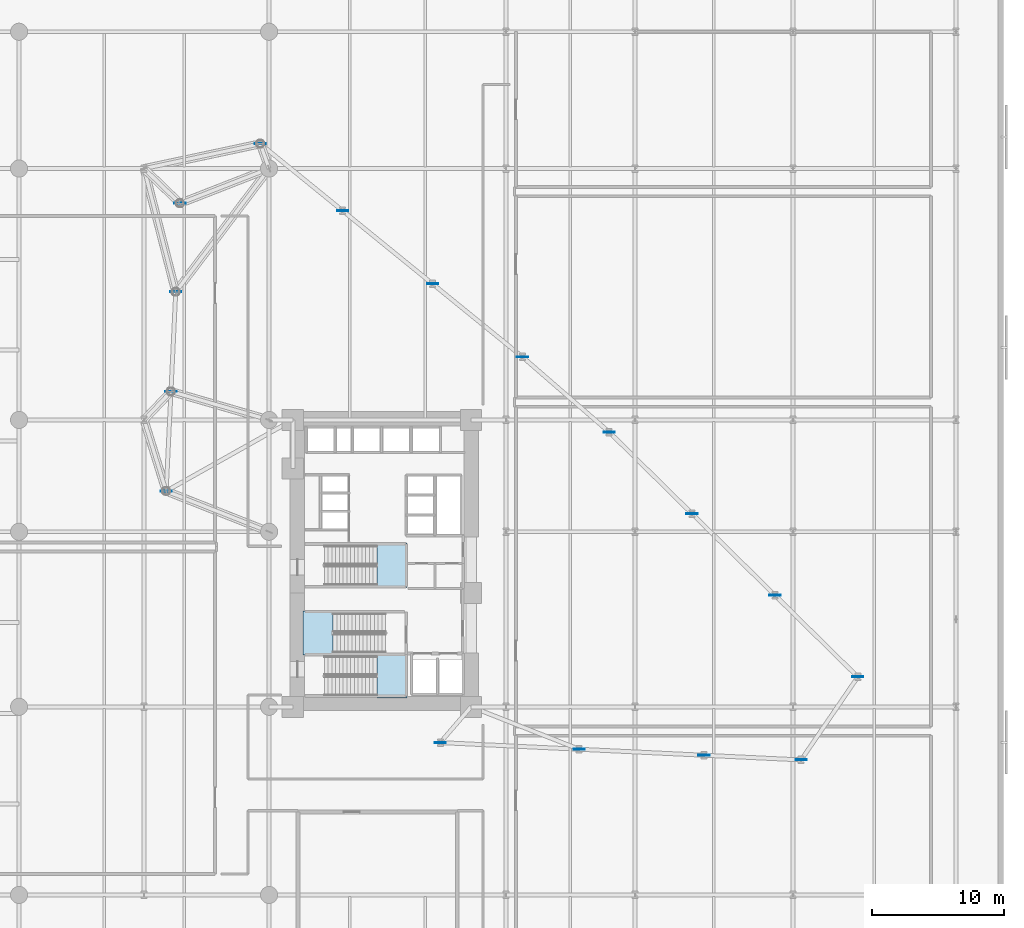
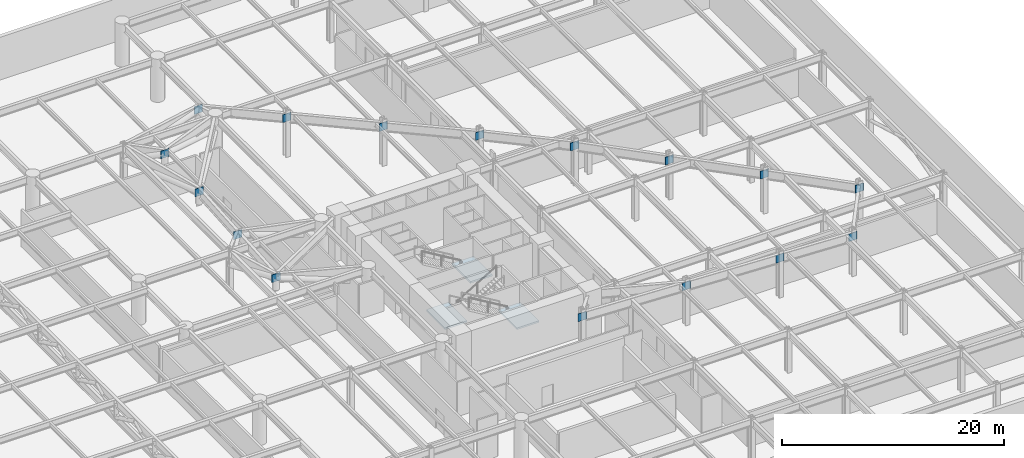
# One storey, part 23 of 40: 16 plates, 3 slabs, 3 elements without a shape of their own.
"""IFC4 building model written with IfcOpenShell, lengths in metres."""

from ifc_helpers import new_model, si_unit, direction, frame, origin, origin_2d, place, context, subcontext, project, spatial, polyline, rectangle, outline, extrude, material, layer, layer_set, type_object, element, aggregate, save


model = new_model("IFC4")

# Units and contexts
model_context = context("Model", 3, precision=1e-05, world=origin(), true_north=direction((0.0, 1.0)))
body_context = subcontext(model_context, "Body", "Model", "MODEL_VIEW")
ifc_project = project(units=[si_unit("LENGTHUNIT", "METRE"), si_unit("AREAUNIT", "SQUARE_METRE"), si_unit("VOLUMEUNIT", "CUBIC_METRE"), si_unit("PLANEANGLEUNIT", "RADIAN"), si_unit("MASSUNIT", "GRAM", prefix="KILO")], contexts=[model_context])

# Site, building, storey
site_placement = place(None, origin())
site = spatial("IfcSite", under=ifc_project, at=site_placement, CompositionType="ELEMENT")
building_placement = place(site_placement, origin())
building = spatial("IfcBuilding", under=site, at=building_placement, Name="Narakoshi Arena Tower", CompositionType="ELEMENT")
storey_placement = place(building_placement, frame((0.0, 0.0, 21.60009765625)))
storey = spatial("IfcBuildingStorey", under=building, at=storey_placement, Name="L05", CompositionType="ELEMENT", Elevation=21.60009765625)

# Plates
ifc_material_1 = material(Name="Anodised bronze aluminium 6063-T6", Category="aluminium")
ifc_layer_1 = layer(ifc_material_1, 0.06494140625)
ifc_layer_set_1 = layer_set([ifc_layer_1], Name="Anodised bronze aluminium 6063-T6")
plate_type = type_object("IfcPlateType", Name="PLT-CLD-65", PredefinedType="SHEET", material=ifc_layer_set_1)
for number, where, z_axis, x_axis, name in (
    (1, (83.2119140625, 31.979248046875, 3.770751953125), (0.0, 0.0, 1.0), (1.0, 0.0, 0.0), "L05 Transfer Truss Gusset Plate 01"),
    (2, (93.760009765625, 31.472412109375, 3.770751953125), (0.0, 0.0, 1.0), (1.0, 0.0, 0.0), "L05 Transfer Truss Gusset Plate 02"),
    (3, (103.2529296875, 31.0166015625, 3.770751953125), (0.0, 0.0, 1.0), (1.0, 0.0, 0.0), "L05 Transfer Truss Gusset Plate 03"),
    (4, (110.636474609375, 30.661865234375, 3.770751953125), (0.0, 0.0, 1.0), (1.0, 0.0, 0.0), "L05 Transfer Truss Gusset Plate 04"),
    (5, (114.942138671875, 36.969970703125, 3.770751953125), (0.0, 0.0, 1.0), (1.0, 0.0, 0.0), "L05 Transfer Truss Gusset Plate 05"),
    (6, (108.643798828125, 43.171875, 3.770751953125), (0.0, 0.0, 1.0), (1.0, 0.0, 0.0), "L05 Transfer Truss Gusset Plate 06"),
    (7, (102.345458984375, 49.373779296875, 3.770751953125), (0.0, 0.0, 1.0), (1.0, 0.0, 0.0), "L05 Transfer Truss Gusset Plate 07"),
    (8, (96.047119140625, 55.57568359375, 3.770751953125), (0.0, 0.0, 1.0), (1.0, 0.0, 0.0), "L05 Transfer Truss Gusset Plate 08"),
    (9, (89.459716796875, 61.28515625, 3.770751953125), (0.0, 0.0, 1.0), (1.0, 0.0, 0.0), "L05 Transfer Truss Gusset Plate 09"),
    (10, (82.626953125, 66.838623046875, 3.770751953125), (0.0, 0.0, 1.0), (1.0, 0.0, 0.0), "L05 Transfer Truss Gusset Plate 10"),
    (11, (75.794189453125, 72.392333984375, 3.770751953125), (0.0, 0.0, 1.0), (1.0, 0.0, 0.0), "L05 Transfer Truss Gusset Plate 11"),
    (12, (69.531005859375, 77.483154296875, 3.770751953125), (0.0, 0.0, 1.0), (1.0, 0.0, 0.0), "L05 Transfer Truss Gusset Plate 12"),
    (13, (63.42822265625, 72.95654296875, 3.770751953125), (0.0, 0.0, 1.0), (1.0, 0.0, 0.0), "L05 Transfer Truss Gusset Plate 13"),
    (14, (63.10498046875, 66.228271484375, 3.770751953125), (0.0, 0.0, 1.0), (1.0, 0.0, 0.0), "L05 Transfer Truss Gusset Plate 14"),
    (15, (62.74169921875, 58.658935546875, 3.770751953125), (0.0, 0.0, 1.0), (1.0, 0.0, 0.0), "L05 Transfer Truss Gusset Plate 15"),
    (16, (62.3779296875, 51.08984375, 3.770751953125), (0.0, 0.0, 1.0), (1.0, 0.0, 0.0), "L05 Transfer Truss Gusset Plate 16"),
):
    element("IfcPlate", number, at=place(storey_placement, frame(where, z_axis=z_axis, x_axis=x_axis)), inside=storey, type_object=plate_type, Name=name, PredefinedType="SHEET", context=body_context, shape_type="SweptSolid", body=[
        extrude(rectangle(XDim=0.85009765625, YDim=0.06494140625, at=origin_2d()), origin(), (0.0, 0.0, 1.0), 0.85009765625),
    ])

# Stair, slab
ifc_material_2 = material(Name="Concrete C45/55", Category="concrete")
stair_type = type_object("IfcStairType", Name="STR-POD-510", PredefinedType="TWO_STRAIGHT_RUN_STAIR", material=ifc_material_2)
stair_1_placement = place(storey_placement, origin())
stair_1 = element("IfcStair", 17, at=stair_1_placement, inside=storey, type_object=stair_type, Name="L05 Core Escape Stair ST1", PredefinedType="TWO_STRAIGHT_RUN_STAIR")
ifc_layer_2 = layer(ifc_material_2, 0.18994140625)
ifc_layer_set_2 = layer_set([ifc_layer_2], Name="Concrete C45/55")
slab_type = type_object("IfcSlabType", Name="SLB-LND-190", PredefinedType="LANDING", material=ifc_layer_set_2)
slab_1_placement = place(storey_placement, frame((0.0, 0.0, 2.35986328125)))
slab_1 = element("IfcSlab", 18, at=slab_1_placement, type_object=slab_type, Name="ST1 landing 1", PredefinedType="LANDING", context=body_context, shape_type="SweptSolid", body=[
    extrude(outline(polyline([(78.389892578125, 35.3701171875), (80.679931640625, 35.3701171875), (80.679931640625, 38.72998046875), (78.389892578125, 38.72998046875), (78.389892578125, 35.3701171875)])), origin(), (0.0, 0.0, 1.0), 0.18994140625),
])
aggregate(stair_1, [slab_1])

stair_2_placement = place(storey_placement, origin())
stair_2 = element("IfcStair", 19, at=stair_2_placement, inside=storey, type_object=stair_type, Name="L05 Core Escape Stair ST2", PredefinedType="TWO_STRAIGHT_RUN_STAIR")
slab_2_placement = place(storey_placement, frame((0.0, 0.0, 2.35986328125)))
slab_2 = element("IfcSlab", 20, at=slab_2_placement, type_object=slab_type, Name="ST2 landing 1", PredefinedType="LANDING", context=body_context, shape_type="SweptSolid", body=[
    extrude(outline(polyline([(72.77001953125, 38.6201171875), (75.06005859375, 38.6201171875), (75.06005859375, 41.97998046875), (72.77001953125, 41.97998046875), (72.77001953125, 38.6201171875)])), origin(), (0.0, 0.0, 1.0), 0.18994140625),
])
aggregate(stair_2, [slab_2])

stair_3_placement = place(storey_placement, origin())
stair_3 = element("IfcStair", 21, at=stair_3_placement, inside=storey, type_object=stair_type, Name="L05 Core Escape Stair ST3", PredefinedType="TWO_STRAIGHT_RUN_STAIR")
slab_3_placement = place(storey_placement, frame((0.0, 0.0, 2.35986328125)))
slab_3 = element("IfcSlab", 22, at=slab_3_placement, type_object=slab_type, Name="ST3 landing 1", PredefinedType="LANDING", context=body_context, shape_type="SweptSolid", body=[
    extrude(outline(polyline([(78.389892578125, 43.77001953125), (80.679931640625, 43.77001953125), (80.679931640625, 47.1298828125), (78.389892578125, 47.1298828125), (78.389892578125, 43.77001953125)])), origin(), (0.0, 0.0, 1.0), 0.18994140625),
])
aggregate(stair_3, [slab_3])

save(model, "model.ifc")
